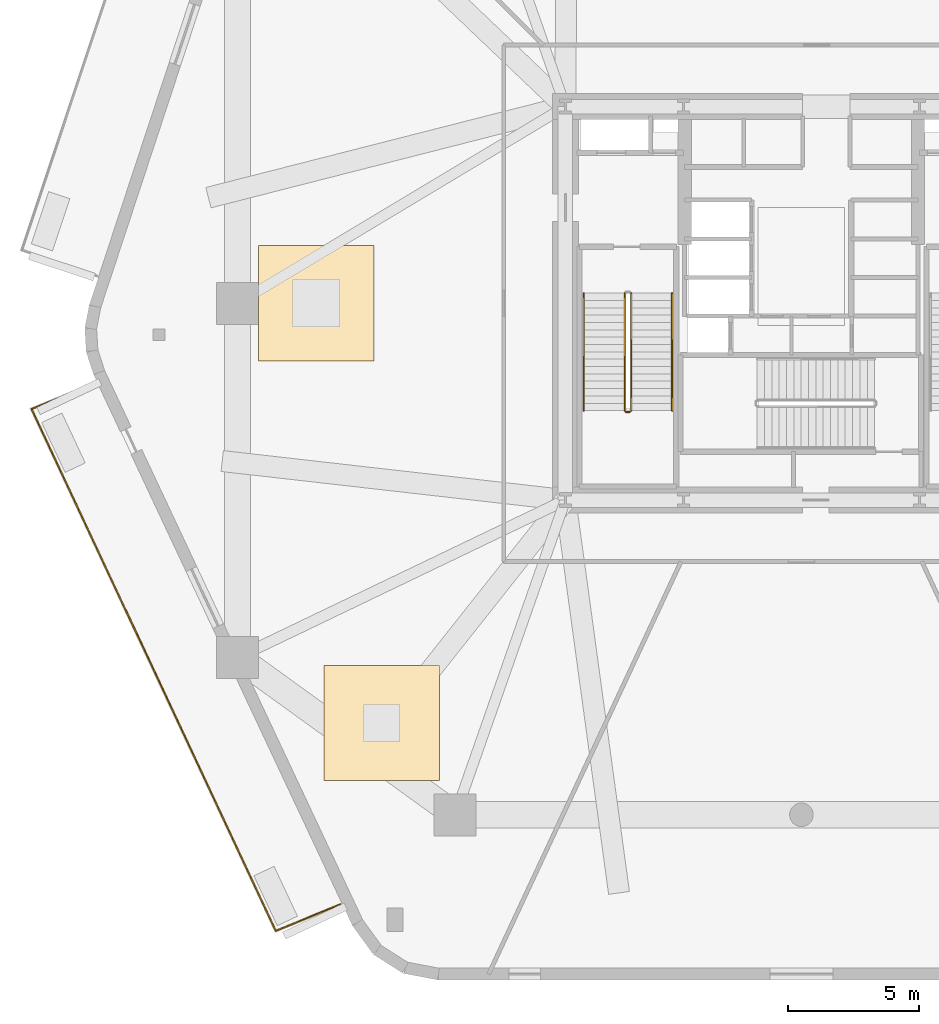
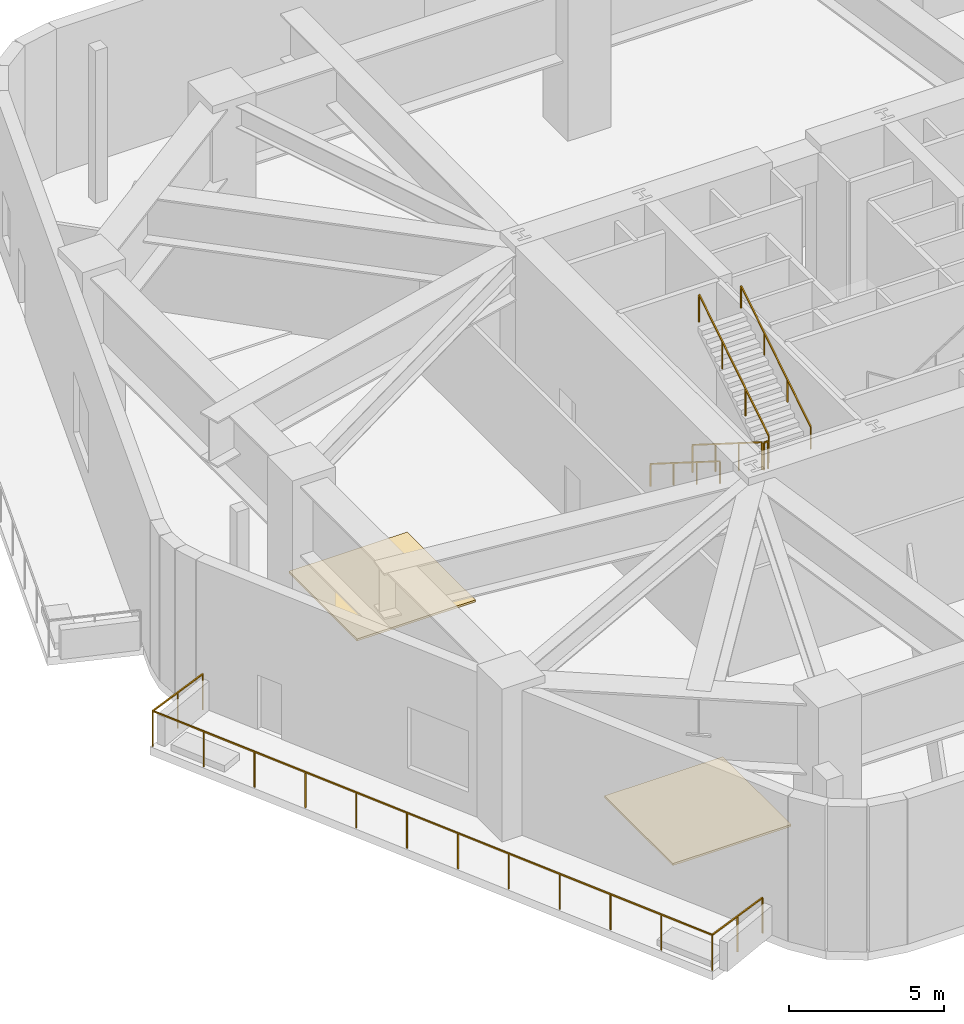
# One storey, part 12 of 14: 6 railings, 2 coverings.
"""IFC4 building model written with IfcOpenShell, lengths in metres."""

from ifc_helpers import new_model, si_unit, direction, frame, origin, origin_2d, place, context, subcontext, project, spatial, polyline, rectangle, outline, extrude, material, layer, layer_set, type_object, element, save


model = new_model("IFC4")

# Units and contexts
model_context = context("Model", 3, precision=1e-05, world=origin(), true_north=direction((0.0, 1.0)))
body_context = subcontext(model_context, "Body", "Model", "MODEL_VIEW")
ifc_project = project(units=[si_unit("LENGTHUNIT", "METRE"), si_unit("AREAUNIT", "SQUARE_METRE"), si_unit("VOLUMEUNIT", "CUBIC_METRE"), si_unit("PLANEANGLEUNIT", "RADIAN"), si_unit("MASSUNIT", "GRAM", prefix="KILO")], contexts=[model_context])

# Site, building, storey
site_placement = place(None, origin())
site = spatial("IfcSite", under=ifc_project, at=site_placement, CompositionType="ELEMENT")
building_placement = place(site_placement, origin())
building = spatial("IfcBuilding", under=site, at=building_placement, Name="Kilnhurst Terrace Hotel", CompositionType="ELEMENT")
storey_placement = place(building_placement, frame((0.0, 0.0, 28.199951171875)))
storey = spatial("IfcBuildingStorey", under=building, at=storey_placement, Name="L05", CompositionType="ELEMENT", Elevation=28.199951171875)

# Coverings
ifc_material_1 = material(Name="TPO Single-Ply Waterproofing Membrane and Rigid Insulation")
ifc_layer_1 = layer(ifc_material_1, 0.080078125, Name="TPO Single-Ply Waterproofing Membrane and Rigid Insulation")
ifc_layer_set_1 = layer_set([ifc_layer_1], Name="TPO Single-Ply Waterproofing Membrane and Rigid Insulation")
covering_type = type_object("IfcCoveringType", Name="COV-ROOF-MEM", PredefinedType="ROOFING", material=ifc_layer_set_1)
covering_1_placement = place(storey_placement, origin())
element("IfcCovering", 1, at=covering_1_placement, inside=storey, type_object=covering_type, Name="L05 Podium Waterproofing Pad 1", PredefinedType="ROOFING", context=body_context, shape_type="SweptSolid", body=[
    extrude(outline(polyline([(-18.199951171875, -18.199951171875), (-13.800048828125, -18.199951171875), (-13.800048828125, -13.800048828125), (-18.199951171875, -13.800048828125), (-18.199951171875, -18.199951171875)])), origin(), (0.0, 0.0, 1.0), 0.080078125),
])
covering_2_placement = place(storey_placement, origin())
element("IfcCovering", 2, at=covering_2_placement, inside=storey, type_object=covering_type, Name="L05 Podium Waterproofing Pad 5", PredefinedType="ROOFING", context=body_context, shape_type="SweptSolid", body=[
    extrude(outline(polyline([(-20.699951171875, -2.199951171875), (-16.300048828125, -2.199951171875), (-16.300048828125, 2.199951171875), (-20.699951171875, 2.199951171875), (-20.699951171875, -2.199951171875)])), origin(), (0.0, 0.0, 1.0), 0.080078125),
])

# Railings
ifc_material_2 = material(Name="Laminated SentryGlas and Stainless Steel AISI 316L Balustrade", Category="steel")
ifc_layer_2 = layer(ifc_material_2, 0.070068359375, Name="Laminated SentryGlas and Stainless Steel AISI 316L Balustrade")
ifc_layer_set_2 = layer_set([ifc_layer_2], Name="Laminated SentryGlas and Stainless Steel AISI 316L Balustrade")
railing_type_1 = type_object("IfcRailingType", Name="RLG-BAL-1420", PredefinedType="BALUSTRADE", material=ifc_layer_set_2)
railing_1_placement = place(storey_placement, frame((-17.587158203125, -22.92041015625, 0.0)))
element("IfcRailing", 3, at=railing_1_placement, inside=storey, type_object=railing_type_1, Name="L05 Exterior Terrace Guardrail TERR-2.1", PredefinedType="BALUSTRADE", context=body_context, shape_type="SweptSolid", body=[
    extrude(rectangle(XDim=0.048095703125, YDim=0.048095703125, at=origin_2d()), frame((0.0, 0.0, 1.39599609375), z_axis=(-0.925693637906, -0.378274092082, 0.0), x_axis=(0.378274092082, -0.925693637906, 0.0)), (0.0, 0.0, 1.0), 2.650146484375),
    extrude(rectangle(XDim=0.048095703125, YDim=0.048095703125, at=origin_2d()), frame((-2.453125, -1.00244140625, 1.39599609375), z_axis=(-0.423969594761, 0.905676422746, 0.0), x_axis=(-0.905676422746, -0.423969594761, 0.0)), (0.0, 0.0, 1.0), 21.962646484375),
    extrude(rectangle(XDim=0.048095703125, YDim=0.048095703125, at=origin_2d()), frame((-11.7646484375, 18.888671875, 1.39599609375), z_axis=(0.925674555329, 0.378320786656, 0.0), x_axis=(-0.378320786656, 0.925674555329, 0.0)), (0.0, 0.0, 1.0), 2.6201171875),
    extrude(rectangle(XDim=0.0419921875, YDim=0.0419921875, at=origin_2d()), origin(), (0.0, 0.0, 1.0), 1.371826171875),
    extrude(rectangle(XDim=0.0419921875, YDim=0.0419921875, at=origin_2d()), frame((-1.2265625, -0.501220703125, 0.0)), (0.0, 0.0, 1.0), 1.371826171875),
    extrude(rectangle(XDim=0.0419921875, YDim=0.0419921875, at=origin_2d()), frame((-2.453125, -1.00244140625, 0.0)), (0.0, 0.0, 1.0), 1.371826171875),
    extrude(rectangle(XDim=0.0419921875, YDim=0.0419921875, at=origin_2d()), frame((-3.299560546875, 0.805908203125, 0.0)), (0.0, 0.0, 1.0), 1.371826171875),
    extrude(rectangle(XDim=0.0419921875, YDim=0.0419921875, at=origin_2d()), frame((-4.146240234375, 2.614013671875, 0.0)), (0.0, 0.0, 1.0), 1.371826171875),
    extrude(rectangle(XDim=0.0419921875, YDim=0.0419921875, at=origin_2d()), frame((-4.99267578125, 4.42236328125, 0.0)), (0.0, 0.0, 1.0), 1.371826171875),
    extrude(rectangle(XDim=0.0419921875, YDim=0.0419921875, at=origin_2d()), frame((-5.839111328125, 6.230712890625, 0.0)), (0.0, 0.0, 1.0), 1.371826171875),
    extrude(rectangle(XDim=0.0419921875, YDim=0.0419921875, at=origin_2d()), frame((-6.685546875, 8.0390625, 0.0)), (0.0, 0.0, 1.0), 1.371826171875),
    extrude(rectangle(XDim=0.0419921875, YDim=0.0419921875, at=origin_2d()), frame((-7.5322265625, 9.84716796875, 0.0)), (0.0, 0.0, 1.0), 1.371826171875),
    extrude(rectangle(XDim=0.0419921875, YDim=0.0419921875, at=origin_2d()), frame((-8.378662109375, 11.655517578125, 0.0)), (0.0, 0.0, 1.0), 1.371826171875),
    extrude(rectangle(XDim=0.0419921875, YDim=0.0419921875, at=origin_2d()), frame((-9.22509765625, 13.4638671875, 0.0)), (0.0, 0.0, 1.0), 1.371826171875),
    extrude(rectangle(XDim=0.0419921875, YDim=0.0419921875, at=origin_2d()), frame((-10.071533203125, 15.272216796875, 0.0)), (0.0, 0.0, 1.0), 1.371826171875),
    extrude(rectangle(XDim=0.0419921875, YDim=0.0419921875, at=origin_2d()), frame((-10.918212890625, 17.080322265625, 0.0)), (0.0, 0.0, 1.0), 1.371826171875),
    extrude(rectangle(XDim=0.0419921875, YDim=0.0419921875, at=origin_2d()), frame((-11.7646484375, 18.888671875, 0.0)), (0.0, 0.0, 1.0), 1.371826171875),
    extrude(rectangle(XDim=0.0419921875, YDim=0.0419921875, at=origin_2d()), frame((-10.552001953125, 19.38427734375, 0.0)), (0.0, 0.0, 1.0), 1.371826171875),
    extrude(rectangle(XDim=0.0419921875, YDim=0.0419921875, at=origin_2d()), frame((-9.33935546875, 19.8798828125, 0.0)), (0.0, 0.0, 1.0), 1.371826171875),
])
ifc_material_3 = material(Name="Powder-Coated Steel ASTM A500 Grade B", Category="steel")
ifc_layer_3 = layer(ifc_material_3, 0.050048828125, Name="Powder-Coated Steel ASTM A500 Grade B")
ifc_layer_set_3 = layer_set([ifc_layer_3], Name="Powder-Coated Steel ASTM A500 Grade B")
railing_type_2 = type_object("IfcRailingType", Name="RLG-ST-GRD-1100", PredefinedType="GUARDRAIL", material=ifc_layer_set_3)
railing_2_placement = place(storey_placement, frame((-6.739990234375, 0.389892578125, 0.176513671875)))
element("IfcRailing", 4, at=railing_2_placement, inside=storey, type_object=railing_type_2, Name="L05 ST-1 stair guard 1", PredefinedType="GUARDRAIL", context=body_context, shape_type="SweptSolid", body=[
    extrude(rectangle(XDim=0.048095703125, YDim=0.048095703125, at=origin_2d()), frame((0.0, 0.0, 1.076171875), z_axis=(0.0, -0.845997938375, 0.533186166611), x_axis=(1.0, 0.0, 0.0)), (0.0, 0.0, 1.0), 5.29541015625),
    extrude(rectangle(XDim=0.0419921875, YDim=0.0419921875, at=origin_2d()), origin(), (0.0, 0.0, 1.0), 1.052001953125),
    extrude(rectangle(XDim=0.0419921875, YDim=0.0419921875, at=origin_2d()), frame((0.0, -1.493408203125, 0.941162109375)), (0.0, 0.0, 1.0), 1.052001953125),
    extrude(rectangle(XDim=0.0419921875, YDim=0.0419921875, at=origin_2d()), frame((0.0, -2.986572265625, 1.88232421875)), (0.0, 0.0, 1.0), 1.052001953125),
    extrude(rectangle(XDim=0.0419921875, YDim=0.0419921875, at=origin_2d()), frame((0.0, -4.47998046875, 2.823486328125)), (0.0, 0.0, 1.0), 1.052001953125),
])
railing_3_placement = place(storey_placement, frame((-6.68994140625, -4.139892578125, 3.0)))
element("IfcRailing", 5, at=railing_3_placement, inside=storey, type_object=railing_type_2, Name="L05 ST-1 stair guard 2", PredefinedType="GUARDRAIL", context=body_context, shape_type="SweptSolid", body=[
    extrude(rectangle(XDim=0.048095703125, YDim=0.048095703125, at=origin_2d()), frame((0.0, 0.0, 1.076171875), z_axis=(1.0, 0.0, 0.0), x_axis=(0.0, 1.0, 0.0)), (0.0, 0.0, 1.0), 0.14990234375),
    extrude(rectangle(XDim=0.0419921875, YDim=0.0419921875, at=origin_2d()), origin(), (0.0, 0.0, 1.0), 1.052001953125),
    extrude(rectangle(XDim=0.0419921875, YDim=0.0419921875, at=origin_2d()), frame((0.14990234375, 0.0, 0.0)), (0.0, 0.0, 1.0), 1.052001953125),
])
railing_4_placement = place(storey_placement, frame((-6.489990234375, -4.090087890625, 3.176513671875)))
element("IfcRailing", 6, at=railing_4_placement, inside=storey, type_object=railing_type_2, Name="L05 ST-1 stair guard 3", PredefinedType="GUARDRAIL", context=body_context, shape_type="SweptSolid", body=[
    extrude(rectangle(XDim=0.048095703125, YDim=0.048095703125, at=origin_2d()), frame((0.0, 0.0, 1.076171875), z_axis=(0.0, 0.845997938375, 0.533186166611), x_axis=(-1.0, 0.0, 0.0)), (0.0, 0.0, 1.0), 5.29541015625),
    extrude(rectangle(XDim=0.0419921875, YDim=0.0419921875, at=origin_2d()), origin(), (0.0, 0.0, 1.0), 1.052001953125),
    extrude(rectangle(XDim=0.0419921875, YDim=0.0419921875, at=origin_2d()), frame((0.0, 1.493408203125, 0.941162109375)), (0.0, 0.0, 1.0), 1.052001953125),
    extrude(rectangle(XDim=0.0419921875, YDim=0.0419921875, at=origin_2d()), frame((0.0, 2.986572265625, 1.88232421875)), (0.0, 0.0, 1.0), 1.052001953125),
    extrude(rectangle(XDim=0.0419921875, YDim=0.0419921875, at=origin_2d()), frame((0.0, 4.47998046875, 2.823486328125)), (0.0, 0.0, 1.0), 1.052001953125),
])
ifc_material_4 = material(Name="Brushed Stainless Steel AISI 304", Category="steel")
ifc_layer_4 = layer(ifc_material_4, 0.048095703125, Name="Brushed Stainless Steel AISI 304")
ifc_layer_set_4 = layer_set([ifc_layer_4], Name="Brushed Stainless Steel AISI 304")
railing_type_3 = type_object("IfcRailingType", Name="RLG-ST-HRL-900", PredefinedType="HANDRAIL", material=ifc_layer_set_4)
railing_5_placement = place(storey_placement, frame((-8.300048828125, 0.389892578125, 0.176513671875)))
element("IfcRailing", 7, at=railing_5_placement, inside=storey, type_object=railing_type_3, Name="L05 ST-1 stair handrail 1", PredefinedType="HANDRAIL", context=body_context, shape_type="SweptSolid", body=[
    extrude(rectangle(XDim=0.048095703125, YDim=0.048095703125, at=origin_2d()), frame((0.0, 0.0, 0.8759765625), z_axis=(0.0, -0.845997938375, 0.533186166611), x_axis=(1.0, 0.0, 0.0)), (0.0, 0.0, 1.0), 5.29541015625),
    extrude(rectangle(XDim=0.0419921875, YDim=0.0419921875, at=origin_2d()), origin(), (0.0, 0.0, 1.0), 0.851806640625),
    extrude(rectangle(XDim=0.0419921875, YDim=0.0419921875, at=origin_2d()), frame((0.0, -1.493408203125, 0.941162109375)), (0.0, 0.0, 1.0), 0.851806640625),
    extrude(rectangle(XDim=0.0419921875, YDim=0.0419921875, at=origin_2d()), frame((0.0, -2.986572265625, 1.88232421875)), (0.0, 0.0, 1.0), 0.851806640625),
    extrude(rectangle(XDim=0.0419921875, YDim=0.0419921875, at=origin_2d()), frame((0.0, -4.47998046875, 2.823486328125)), (0.0, 0.0, 1.0), 0.851806640625),
])
railing_6_placement = place(storey_placement, frame((-4.929931640625, -4.090087890625, 3.176513671875)))
element("IfcRailing", 8, at=railing_6_placement, inside=storey, type_object=railing_type_3, Name="L05 ST-1 stair handrail 2", PredefinedType="HANDRAIL", context=body_context, shape_type="SweptSolid", body=[
    extrude(rectangle(XDim=0.048095703125, YDim=0.048095703125, at=origin_2d()), frame((0.0, 0.0, 0.8759765625), z_axis=(0.0, 0.845997938375, 0.533186166611), x_axis=(-1.0, 0.0, 0.0)), (0.0, 0.0, 1.0), 5.29541015625),
    extrude(rectangle(XDim=0.0419921875, YDim=0.0419921875, at=origin_2d()), origin(), (0.0, 0.0, 1.0), 0.851806640625),
    extrude(rectangle(XDim=0.0419921875, YDim=0.0419921875, at=origin_2d()), frame((0.0, 1.493408203125, 0.941162109375)), (0.0, 0.0, 1.0), 0.851806640625),
    extrude(rectangle(XDim=0.0419921875, YDim=0.0419921875, at=origin_2d()), frame((0.0, 2.986572265625, 1.88232421875)), (0.0, 0.0, 1.0), 0.851806640625),
    extrude(rectangle(XDim=0.0419921875, YDim=0.0419921875, at=origin_2d()), frame((0.0, 4.47998046875, 2.823486328125)), (0.0, 0.0, 1.0), 0.851806640625),
])

save(model, "model.ifc")
